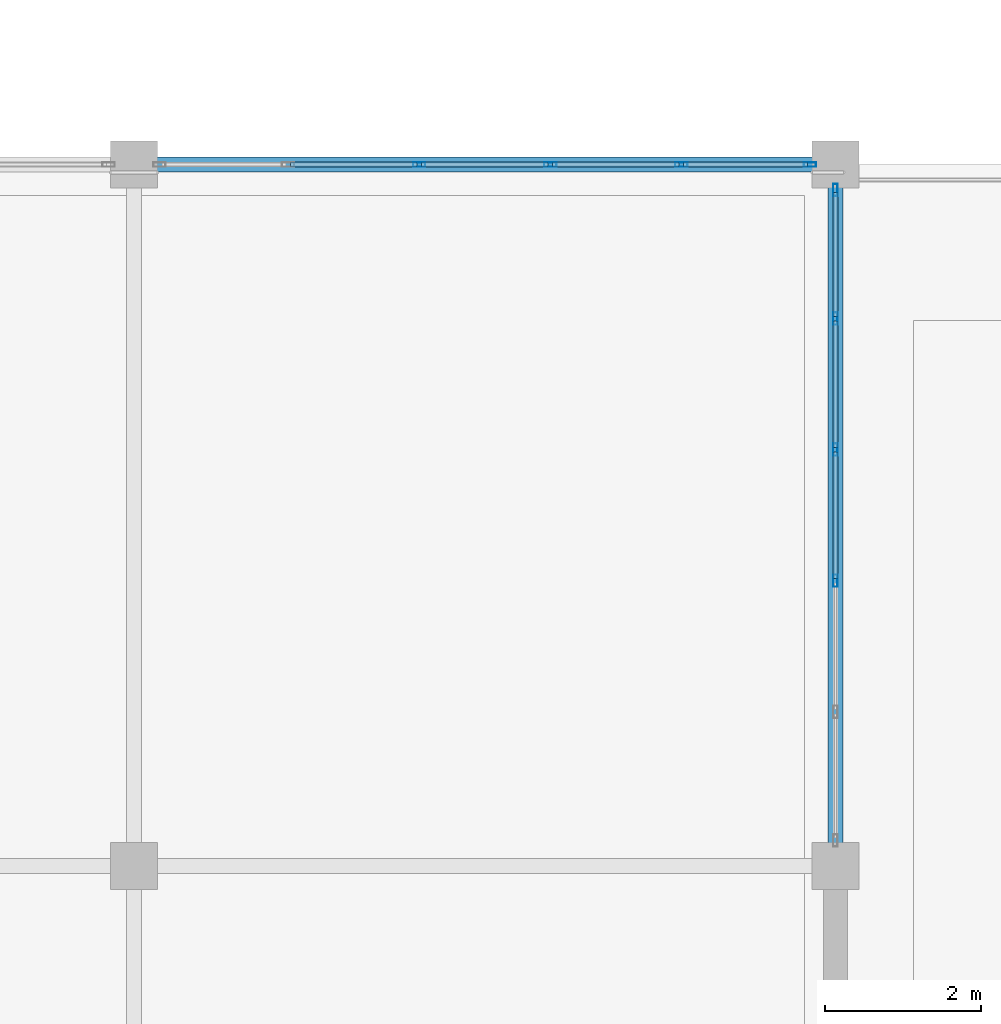
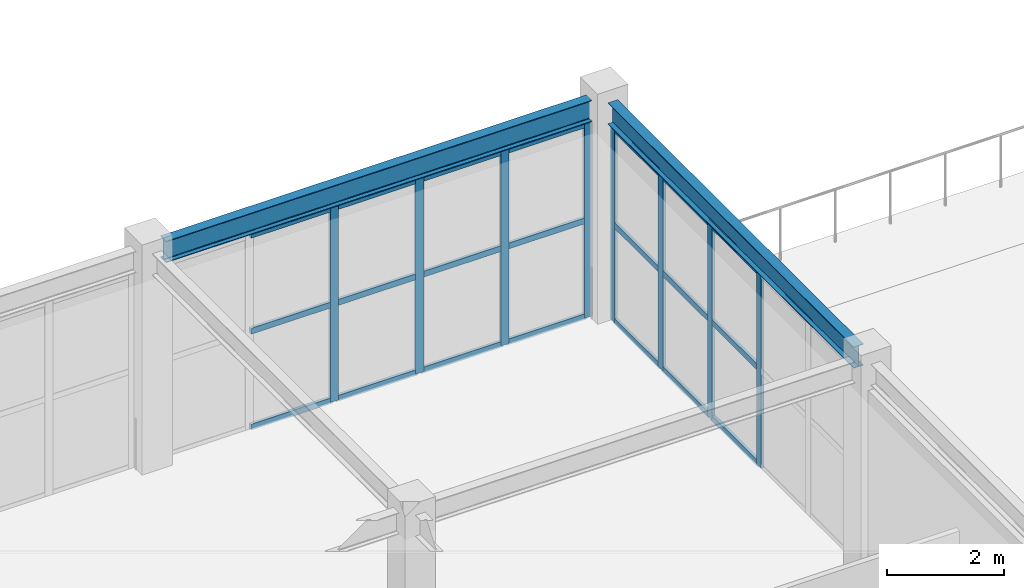
# One storey, part 93 of 167: 29 members, 2 beams, 2 elements without a shape of their own.
"""IFC4 building model written with IfcOpenShell, lengths in metres."""

from ifc_helpers import new_model, si_unit, direction, frame, origin, origin_2d, place, context, subcontext, project, spatial, hollow_rectangle, i_section, extrude, material, layer, layer_set, material_profile, profile_set, type_object, element, aggregate, save


model = new_model("IFC4")

# Units and contexts
model_context = context("Model", 3, precision=1e-05, world=origin(), true_north=direction((0.0, 1.0)))
body_context = subcontext(model_context, "Body", "Model", "MODEL_VIEW")
ifc_project = project(units=[si_unit("LENGTHUNIT", "METRE"), si_unit("AREAUNIT", "SQUARE_METRE"), si_unit("VOLUMEUNIT", "CUBIC_METRE"), si_unit("PLANEANGLEUNIT", "RADIAN"), si_unit("MASSUNIT", "GRAM", prefix="KILO")], contexts=[model_context])

# Site, building, storey
site_placement = place(None, origin())
site = spatial("IfcSite", under=ifc_project, at=site_placement, CompositionType="ELEMENT")
building_placement = place(site_placement, origin())
building = spatial("IfcBuilding", under=site, at=building_placement, Name="Dornveld Trade and Exhibition Forum", CompositionType="ELEMENT")
storey_placement = place(building_placement, frame((0.0, 0.0, 16.800048828125)))
storey = spatial("IfcBuildingStorey", under=building, at=storey_placement, Name="L03", CompositionType="ELEMENT", Elevation=16.800048828125)

# Beams
ifc_material_1 = material(Name="Steel S355J2", Category="steel")
ifc_material_profile_1 = material_profile(ifc_material_1, i_section(OverallWidth=0.18994140625, OverallDepth=0.449951171875, WebThickness=0.009521484375, FlangeThickness=0.0146484375, FilletRadius=0.02099609375, at=origin_2d()), Name="IPE 450")
ifc_profile_set_1 = profile_set([ifc_material_profile_1], Name="Steel S355J2")
beam_type = type_object("IfcBeamType", Name="BM-SEC-450", PredefinedType="BEAM", material=ifc_profile_set_1)
for number, where, z_axis, x_axis, name in (
    (1, (207.2958984375, 54.0, 4.324951171875), (1.0, 0.0, 0.0), (0.0, 1.0, 0.0), "L03 X-girder 1616"),
    (2, (216.0, 45.2958984375, 4.324951171875), (0.0, 1.0, 0.0), (-1.0, 0.0, 0.0), "L03 Y-girder 1634"),
):
    element("IfcBeam", number, at=place(storey_placement, frame(where, z_axis=z_axis, x_axis=x_axis)), inside=storey, type_object=beam_type, Name=name, PredefinedType="BEAM", context=body_context, shape_type="SweptSolid", body=[
        extrude(i_section(OverallWidth=0.18994140625, OverallDepth=0.449951171875, WebThickness=0.009521484375, FlangeThickness=0.0146484375, FilletRadius=0.02099609375, at=origin_2d()), origin(), (0.0, 0.0, 1.0), 8.408203125),
    ])

# Curtain wall, members
ifc_material_2 = material(Name="Dark-bronze anodised aluminium and low-E glass", Category="aluminium")
ifc_layer_1 = layer(ifc_material_2, 0.175048828125)
ifc_layer_set_1 = layer_set([ifc_layer_1], Name="Dark-bronze anodised aluminium and low-E glass")
curtain_wall_type_1 = type_object("IfcCurtainWallType", Name="CW-SYS-11", PredefinedType="USERDEFINED", material=ifc_layer_set_1)
curtain_wall_1_placement = place(storey_placement, origin())
curtain_wall_1 = element("IfcCurtainWall", 3, at=curtain_wall_1_placement, inside=storey, type_object=curtain_wall_type_1, Name="L03 unitised curtain wall 83", ObjectType="UNITISED_CURTAIN_WALL", PredefinedType="USERDEFINED")
ifc_material_3 = material(Name="Dark-bronze anodised aluminium", Category="aluminium")
ifc_material_profile_2 = material_profile(ifc_material_3, hollow_rectangle(XDim=0.06005859375, YDim=0.159912109375, WallThickness=0.00390625, at=origin_2d()), Name="RHS 160x60x4")
ifc_profile_set_2 = profile_set([ifc_material_profile_2], Name="Dark-bronze anodised aluminium")
member_type_1 = type_object("IfcMemberType", Name="CW-MUL-160", PredefinedType="MULLION", material=ifc_profile_set_2)
member_1_placement = place(storey_placement, frame((216.0, 48.6591796875, -0.004150390625), z_axis=(0.0, 0.0, 1.0), x_axis=(-1.0, 0.0, 0.0)))
member_1 = element("IfcMember", 4, at=member_1_placement, type_object=member_type_1, Name="CW-11 mullion 3", PredefinedType="MULLION", context=body_context, shape_type="SweptSolid", body=[
    extrude(hollow_rectangle(XDim=0.06005859375, YDim=0.159912109375, WallThickness=0.00390625, at=origin_2d()), origin(), (0.0, 0.0, 1.0), 4.064208984375),
])
member_2_placement = place(storey_placement, frame((216.0, 50.3408203125, -0.004150390625), z_axis=(0.0, 0.0, 1.0), x_axis=(-1.0, 0.0, 0.0)))
member_2 = element("IfcMember", 5, at=member_2_placement, type_object=member_type_1, Name="CW-11 mullion 4", PredefinedType="MULLION", context=body_context, shape_type="SweptSolid", body=[
    extrude(hollow_rectangle(XDim=0.06005859375, YDim=0.159912109375, WallThickness=0.00390625, at=origin_2d()), origin(), (0.0, 0.0, 1.0), 4.064208984375),
])
member_3_placement = place(storey_placement, frame((216.0, 52.0224609375, -0.004150390625), z_axis=(0.0, 0.0, 1.0), x_axis=(-1.0, 0.0, 0.0)))
member_3 = element("IfcMember", 6, at=member_3_placement, type_object=member_type_1, Name="CW-11 mullion 5", PredefinedType="MULLION", context=body_context, shape_type="SweptSolid", body=[
    extrude(hollow_rectangle(XDim=0.06005859375, YDim=0.159912109375, WallThickness=0.00390625, at=origin_2d()), origin(), (0.0, 0.0, 1.0), 4.064208984375),
])
member_4_placement = place(storey_placement, frame((216.0, 53.674072265625, -0.004150390625), z_axis=(0.0, 0.0, 1.0), x_axis=(-1.0, 0.0, 0.0)))
member_4 = element("IfcMember", 7, at=member_4_placement, type_object=member_type_1, Name="CW-11 mullion 6", PredefinedType="MULLION", context=body_context, shape_type="SweptSolid", body=[
    extrude(hollow_rectangle(XDim=0.06005859375, YDim=0.159912109375, WallThickness=0.00390625, at=origin_2d()), origin(), (0.0, 0.0, 1.0), 4.064208984375),
])

ifc_material_4 = material(Name="Dark-bronze anodised aluminium and low-E glass", Category="aluminium")
ifc_layer_2 = layer(ifc_material_4, 0.156982421875)
ifc_layer_set_2 = layer_set([ifc_layer_2], Name="Dark-bronze anodised aluminium and low-E glass")
curtain_wall_type_2 = type_object("IfcCurtainWallType", Name="CW-SYS-05", PredefinedType="USERDEFINED", material=ifc_layer_set_2)
curtain_wall_2_placement = place(storey_placement, origin())
curtain_wall_2 = element("IfcCurtainWall", 8, at=curtain_wall_2_placement, inside=storey, type_object=curtain_wall_type_2, Name="L03 unitised curtain wall 95", ObjectType="UNITISED_CURTAIN_WALL", PredefinedType="USERDEFINED")
member_5_placement = place(storey_placement, frame((215.674072265625, 54.0, -0.004150390625), z_axis=(0.0, 0.0, 1.0), x_axis=(0.0, -1.0, 0.0)))
member_5 = element("IfcMember", 9, at=member_5_placement, type_object=member_type_1, Name="CW-05 mullion 1", PredefinedType="MULLION", context=body_context, shape_type="SweptSolid", body=[
    extrude(hollow_rectangle(XDim=0.06005859375, YDim=0.159912109375, WallThickness=0.00390625, at=origin_2d()), origin(), (0.0, 0.0, 1.0), 4.064208984375),
])
member_6_placement = place(storey_placement, frame((214.0224609375, 54.0, -0.004150390625), z_axis=(0.0, 0.0, 1.0), x_axis=(0.0, -1.0, 0.0)))
member_6 = element("IfcMember", 10, at=member_6_placement, type_object=member_type_1, Name="CW-05 mullion 2", PredefinedType="MULLION", context=body_context, shape_type="SweptSolid", body=[
    extrude(hollow_rectangle(XDim=0.06005859375, YDim=0.159912109375, WallThickness=0.00390625, at=origin_2d()), origin(), (0.0, 0.0, 1.0), 4.064208984375),
])
member_7_placement = place(storey_placement, frame((212.3408203125, 54.0, -0.004150390625), z_axis=(0.0, 0.0, 1.0), x_axis=(0.0, -1.0, 0.0)))
member_7 = element("IfcMember", 11, at=member_7_placement, type_object=member_type_1, Name="CW-05 mullion 3", PredefinedType="MULLION", context=body_context, shape_type="SweptSolid", body=[
    extrude(hollow_rectangle(XDim=0.06005859375, YDim=0.159912109375, WallThickness=0.00390625, at=origin_2d()), origin(), (0.0, 0.0, 1.0), 4.064208984375),
])
member_8_placement = place(storey_placement, frame((210.6591796875, 54.0, -0.004150390625), z_axis=(0.0, 0.0, 1.0), x_axis=(0.0, -1.0, 0.0)))
member_8 = element("IfcMember", 12, at=member_8_placement, type_object=member_type_1, Name="CW-05 mullion 4", PredefinedType="MULLION", context=body_context, shape_type="SweptSolid", body=[
    extrude(hollow_rectangle(XDim=0.06005859375, YDim=0.159912109375, WallThickness=0.00390625, at=origin_2d()), origin(), (0.0, 0.0, 1.0), 4.064208984375),
])

# Member
ifc_material_5 = material(Name="Dark-bronze anodised aluminium", Category="aluminium")
ifc_material_profile_3 = material_profile(ifc_material_5, hollow_rectangle(XDim=0.06005859375, YDim=0.1201171875, WallThickness=0.00390625, at=origin_2d()), Name="RHS 120x60x4")
ifc_profile_set_3 = profile_set([ifc_material_profile_3], Name="Dark-bronze anodised aluminium")
member_type_2 = type_object("IfcMemberType", Name="CW-TRN-120", PredefinedType="USERDEFINED", material=ifc_profile_set_3)
member_9_placement = place(storey_placement, frame((216.0, 48.689208984375, 0.02587890625), z_axis=(0.0, 1.0, 0.0), x_axis=(-1.0, 0.0, 0.0)))
member_9 = element("IfcMember", 13, at=member_9_placement, type_object=member_type_2, Name="CW-11 transom 3.1", ObjectType="TRANSOM", PredefinedType="USERDEFINED", context=body_context, shape_type="SweptSolid", body=[
    extrude(hollow_rectangle(XDim=0.06005859375, YDim=0.1201171875, WallThickness=0.00390625, at=origin_2d()), origin(), (0.0, 0.0, 1.0), 1.62158203125),
])

member_10_placement = place(storey_placement, frame((216.0, 48.689208984375, 2.02783203125), z_axis=(0.0, 1.0, 0.0), x_axis=(-1.0, 0.0, 0.0)))
member_10 = element("IfcMember", 14, at=member_10_placement, type_object=member_type_2, Name="CW-11 transom 3.2", ObjectType="TRANSOM", PredefinedType="USERDEFINED", context=body_context, shape_type="SweptSolid", body=[
    extrude(hollow_rectangle(XDim=0.06005859375, YDim=0.1201171875, WallThickness=0.00390625, at=origin_2d()), origin(), (0.0, 0.0, 1.0), 1.62158203125),
])

member_11_placement = place(storey_placement, frame((216.0, 48.689208984375, 4.030029296875), z_axis=(0.0, 1.0, 0.0), x_axis=(-1.0, 0.0, 0.0)))
member_11 = element("IfcMember", 15, at=member_11_placement, type_object=member_type_2, Name="CW-11 transom 3.3", ObjectType="TRANSOM", PredefinedType="USERDEFINED", context=body_context, shape_type="SweptSolid", body=[
    extrude(hollow_rectangle(XDim=0.06005859375, YDim=0.1201171875, WallThickness=0.00390625, at=origin_2d()), origin(), (0.0, 0.0, 1.0), 1.62158203125),
])

member_12_placement = place(storey_placement, frame((216.0, 50.370849609375, 0.02587890625), z_axis=(0.0, 1.0, 0.0), x_axis=(-1.0, 0.0, 0.0)))
member_12 = element("IfcMember", 16, at=member_12_placement, type_object=member_type_2, Name="CW-11 transom 4.1", ObjectType="TRANSOM", PredefinedType="USERDEFINED", context=body_context, shape_type="SweptSolid", body=[
    extrude(hollow_rectangle(XDim=0.06005859375, YDim=0.1201171875, WallThickness=0.00390625, at=origin_2d()), origin(), (0.0, 0.0, 1.0), 1.62158203125),
])

member_13_placement = place(storey_placement, frame((216.0, 50.370849609375, 2.02783203125), z_axis=(0.0, 1.0, 0.0), x_axis=(-1.0, 0.0, 0.0)))
member_13 = element("IfcMember", 17, at=member_13_placement, type_object=member_type_2, Name="CW-11 transom 4.2", ObjectType="TRANSOM", PredefinedType="USERDEFINED", context=body_context, shape_type="SweptSolid", body=[
    extrude(hollow_rectangle(XDim=0.06005859375, YDim=0.1201171875, WallThickness=0.00390625, at=origin_2d()), origin(), (0.0, 0.0, 1.0), 1.62158203125),
])

member_14_placement = place(storey_placement, frame((216.0, 50.370849609375, 4.030029296875), z_axis=(0.0, 1.0, 0.0), x_axis=(-1.0, 0.0, 0.0)))
member_14 = element("IfcMember", 18, at=member_14_placement, type_object=member_type_2, Name="CW-11 transom 4.3", ObjectType="TRANSOM", PredefinedType="USERDEFINED", context=body_context, shape_type="SweptSolid", body=[
    extrude(hollow_rectangle(XDim=0.06005859375, YDim=0.1201171875, WallThickness=0.00390625, at=origin_2d()), origin(), (0.0, 0.0, 1.0), 1.62158203125),
])

member_15_placement = place(storey_placement, frame((216.0, 52.052490234375, 0.02587890625), z_axis=(0.0, 1.0, 0.0), x_axis=(-1.0, 0.0, 0.0)))
member_15 = element("IfcMember", 19, at=member_15_placement, type_object=member_type_2, Name="CW-11 transom 5.1", ObjectType="TRANSOM", PredefinedType="USERDEFINED", context=body_context, shape_type="SweptSolid", body=[
    extrude(hollow_rectangle(XDim=0.06005859375, YDim=0.1201171875, WallThickness=0.00390625, at=origin_2d()), origin(), (0.0, 0.0, 1.0), 1.591552734375),
])

member_16_placement = place(storey_placement, frame((216.0, 52.052490234375, 2.02783203125), z_axis=(0.0, 1.0, 0.0), x_axis=(-1.0, 0.0, 0.0)))
member_16 = element("IfcMember", 20, at=member_16_placement, type_object=member_type_2, Name="CW-11 transom 5.2", ObjectType="TRANSOM", PredefinedType="USERDEFINED", context=body_context, shape_type="SweptSolid", body=[
    extrude(hollow_rectangle(XDim=0.06005859375, YDim=0.1201171875, WallThickness=0.00390625, at=origin_2d()), origin(), (0.0, 0.0, 1.0), 1.591552734375),
])

member_17_placement = place(storey_placement, frame((216.0, 52.052490234375, 4.030029296875), z_axis=(0.0, 1.0, 0.0), x_axis=(-1.0, 0.0, 0.0)))
member_17 = element("IfcMember", 21, at=member_17_placement, type_object=member_type_2, Name="CW-11 transom 5.3", ObjectType="TRANSOM", PredefinedType="USERDEFINED", context=body_context, shape_type="SweptSolid", body=[
    extrude(hollow_rectangle(XDim=0.06005859375, YDim=0.1201171875, WallThickness=0.00390625, at=origin_2d()), origin(), (0.0, 0.0, 1.0), 1.591552734375),
])

aggregate(curtain_wall_1, [member_1, member_2, member_3, member_4, member_9, member_10, member_11, member_12, member_13, member_14, member_15, member_16, member_17])

member_18_placement = place(storey_placement, frame((215.64404296875, 54.0, 0.02587890625), z_axis=(-1.0, 0.0, 0.0), x_axis=(0.0, -1.0, 0.0)))
member_18 = element("IfcMember", 22, at=member_18_placement, type_object=member_type_2, Name="CW-05 transom 1.1", ObjectType="TRANSOM", PredefinedType="USERDEFINED", context=body_context, shape_type="SweptSolid", body=[
    extrude(hollow_rectangle(XDim=0.06005859375, YDim=0.1201171875, WallThickness=0.00390625, at=origin_2d()), origin(), (0.0, 0.0, 1.0), 1.591552734375),
])

member_19_placement = place(storey_placement, frame((215.64404296875, 54.0, 2.02783203125), z_axis=(-1.0, 0.0, 0.0), x_axis=(0.0, -1.0, 0.0)))
member_19 = element("IfcMember", 23, at=member_19_placement, type_object=member_type_2, Name="CW-05 transom 1.2", ObjectType="TRANSOM", PredefinedType="USERDEFINED", context=body_context, shape_type="SweptSolid", body=[
    extrude(hollow_rectangle(XDim=0.06005859375, YDim=0.1201171875, WallThickness=0.00390625, at=origin_2d()), origin(), (0.0, 0.0, 1.0), 1.591552734375),
])

member_20_placement = place(storey_placement, frame((215.64404296875, 54.0, 4.030029296875), z_axis=(-1.0, 0.0, 0.0), x_axis=(0.0, -1.0, 0.0)))
member_20 = element("IfcMember", 24, at=member_20_placement, type_object=member_type_2, Name="CW-05 transom 1.3", ObjectType="TRANSOM", PredefinedType="USERDEFINED", context=body_context, shape_type="SweptSolid", body=[
    extrude(hollow_rectangle(XDim=0.06005859375, YDim=0.1201171875, WallThickness=0.00390625, at=origin_2d()), origin(), (0.0, 0.0, 1.0), 1.591552734375),
])

member_21_placement = place(storey_placement, frame((213.992431640625, 54.0, 0.02587890625), z_axis=(-1.0, 0.0, 0.0), x_axis=(0.0, -1.0, 0.0)))
member_21 = element("IfcMember", 25, at=member_21_placement, type_object=member_type_2, Name="CW-05 transom 2.1", ObjectType="TRANSOM", PredefinedType="USERDEFINED", context=body_context, shape_type="SweptSolid", body=[
    extrude(hollow_rectangle(XDim=0.06005859375, YDim=0.1201171875, WallThickness=0.00390625, at=origin_2d()), origin(), (0.0, 0.0, 1.0), 1.62158203125),
])

member_22_placement = place(storey_placement, frame((213.992431640625, 54.0, 2.02783203125), z_axis=(-1.0, 0.0, 0.0), x_axis=(0.0, -1.0, 0.0)))
member_22 = element("IfcMember", 26, at=member_22_placement, type_object=member_type_2, Name="CW-05 transom 2.2", ObjectType="TRANSOM", PredefinedType="USERDEFINED", context=body_context, shape_type="SweptSolid", body=[
    extrude(hollow_rectangle(XDim=0.06005859375, YDim=0.1201171875, WallThickness=0.00390625, at=origin_2d()), origin(), (0.0, 0.0, 1.0), 1.62158203125),
])

member_23_placement = place(storey_placement, frame((213.992431640625, 54.0, 4.030029296875), z_axis=(-1.0, 0.0, 0.0), x_axis=(0.0, -1.0, 0.0)))
member_23 = element("IfcMember", 27, at=member_23_placement, type_object=member_type_2, Name="CW-05 transom 2.3", ObjectType="TRANSOM", PredefinedType="USERDEFINED", context=body_context, shape_type="SweptSolid", body=[
    extrude(hollow_rectangle(XDim=0.06005859375, YDim=0.1201171875, WallThickness=0.00390625, at=origin_2d()), origin(), (0.0, 0.0, 1.0), 1.62158203125),
])

member_24_placement = place(storey_placement, frame((212.310791015625, 54.0, 0.02587890625), z_axis=(-1.0, 0.0, 0.0), x_axis=(0.0, -1.0, 0.0)))
member_24 = element("IfcMember", 28, at=member_24_placement, type_object=member_type_2, Name="CW-05 transom 3.1", ObjectType="TRANSOM", PredefinedType="USERDEFINED", context=body_context, shape_type="SweptSolid", body=[
    extrude(hollow_rectangle(XDim=0.06005859375, YDim=0.1201171875, WallThickness=0.00390625, at=origin_2d()), origin(), (0.0, 0.0, 1.0), 1.62158203125),
])

member_25_placement = place(storey_placement, frame((212.310791015625, 54.0, 2.02783203125), z_axis=(-1.0, 0.0, 0.0), x_axis=(0.0, -1.0, 0.0)))
member_25 = element("IfcMember", 29, at=member_25_placement, type_object=member_type_2, Name="CW-05 transom 3.2", ObjectType="TRANSOM", PredefinedType="USERDEFINED", context=body_context, shape_type="SweptSolid", body=[
    extrude(hollow_rectangle(XDim=0.06005859375, YDim=0.1201171875, WallThickness=0.00390625, at=origin_2d()), origin(), (0.0, 0.0, 1.0), 1.62158203125),
])

member_26_placement = place(storey_placement, frame((212.310791015625, 54.0, 4.030029296875), z_axis=(-1.0, 0.0, 0.0), x_axis=(0.0, -1.0, 0.0)))
member_26 = element("IfcMember", 30, at=member_26_placement, type_object=member_type_2, Name="CW-05 transom 3.3", ObjectType="TRANSOM", PredefinedType="USERDEFINED", context=body_context, shape_type="SweptSolid", body=[
    extrude(hollow_rectangle(XDim=0.06005859375, YDim=0.1201171875, WallThickness=0.00390625, at=origin_2d()), origin(), (0.0, 0.0, 1.0), 1.62158203125),
])

member_27_placement = place(storey_placement, frame((210.629150390625, 54.0, 0.02587890625), z_axis=(-1.0, 0.0, 0.0), x_axis=(0.0, -1.0, 0.0)))
member_27 = element("IfcMember", 31, at=member_27_placement, type_object=member_type_2, Name="CW-05 transom 4.1", ObjectType="TRANSOM", PredefinedType="USERDEFINED", context=body_context, shape_type="SweptSolid", body=[
    extrude(hollow_rectangle(XDim=0.06005859375, YDim=0.1201171875, WallThickness=0.00390625, at=origin_2d()), origin(), (0.0, 0.0, 1.0), 1.62158203125),
])

member_28_placement = place(storey_placement, frame((210.629150390625, 54.0, 2.02783203125), z_axis=(-1.0, 0.0, 0.0), x_axis=(0.0, -1.0, 0.0)))
member_28 = element("IfcMember", 32, at=member_28_placement, type_object=member_type_2, Name="CW-05 transom 4.2", ObjectType="TRANSOM", PredefinedType="USERDEFINED", context=body_context, shape_type="SweptSolid", body=[
    extrude(hollow_rectangle(XDim=0.06005859375, YDim=0.1201171875, WallThickness=0.00390625, at=origin_2d()), origin(), (0.0, 0.0, 1.0), 1.62158203125),
])

member_29_placement = place(storey_placement, frame((210.629150390625, 54.0, 4.030029296875), z_axis=(-1.0, 0.0, 0.0), x_axis=(0.0, -1.0, 0.0)))
member_29 = element("IfcMember", 33, at=member_29_placement, type_object=member_type_2, Name="CW-05 transom 4.3", ObjectType="TRANSOM", PredefinedType="USERDEFINED", context=body_context, shape_type="SweptSolid", body=[
    extrude(hollow_rectangle(XDim=0.06005859375, YDim=0.1201171875, WallThickness=0.00390625, at=origin_2d()), origin(), (0.0, 0.0, 1.0), 1.62158203125),
])

aggregate(curtain_wall_2, [member_5, member_6, member_7, member_8, member_18, member_19, member_20, member_21, member_22, member_23, member_24, member_25, member_26, member_27, member_28, member_29])

save(model, "model.ifc")
